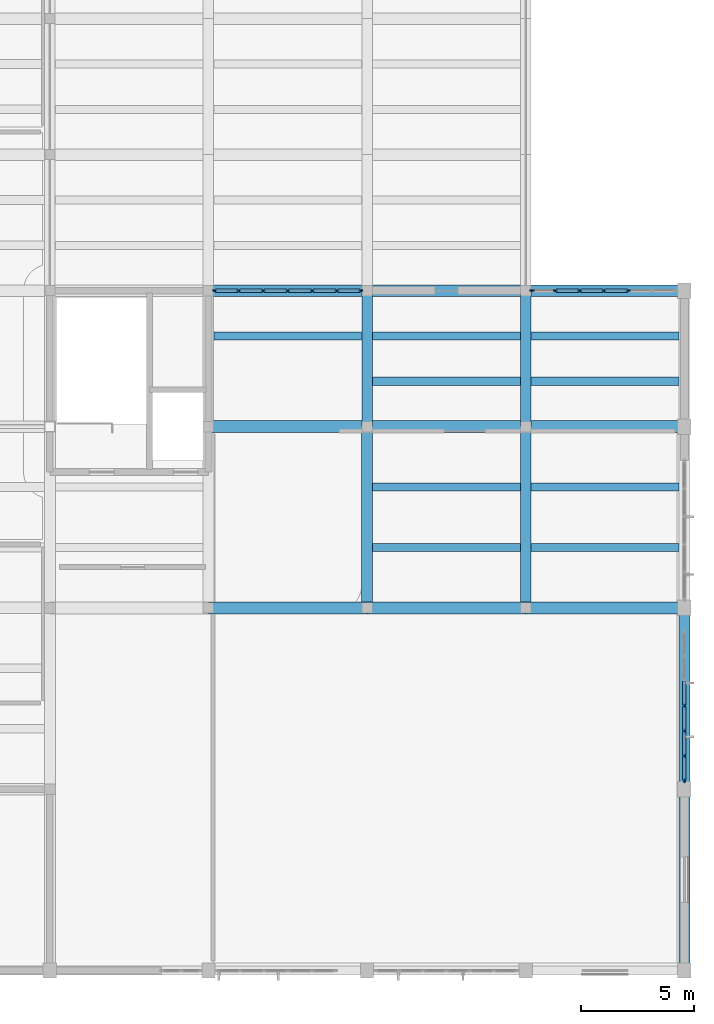
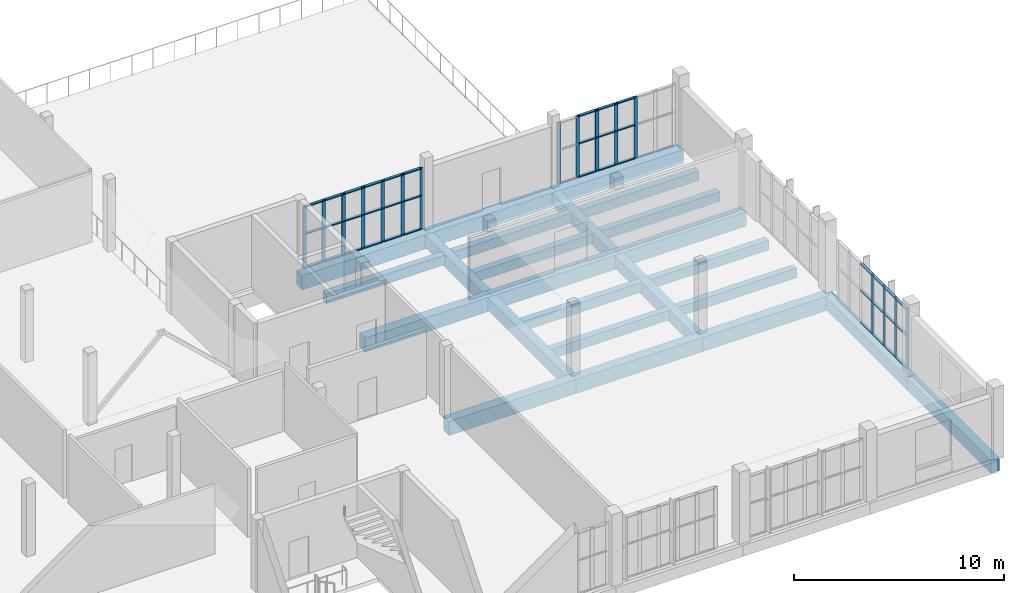
# One storey, part 33 of 70: 55 members, 24 beams, 3 elements without a shape of their own.
"""IFC4 building model written with IfcOpenShell, lengths in metres."""

from ifc_helpers import new_model, si_unit, direction, frame, origin, origin_2d, place, context, subcontext, project, spatial, rectangle, extrude, material, layer, layer_set, material_profile, profile_set, type_object, element, aggregate, save


model = new_model("IFC4")

# Units and contexts
model_context = context("Model", 3, precision=1e-05, world=origin(), true_north=direction((0.0, 1.0)))
body_context = subcontext(model_context, "Body", "Model", "MODEL_VIEW")
ifc_project = project(units=[si_unit("LENGTHUNIT", "METRE"), si_unit("AREAUNIT", "SQUARE_METRE"), si_unit("VOLUMEUNIT", "CUBIC_METRE"), si_unit("PLANEANGLEUNIT", "RADIAN"), si_unit("MASSUNIT", "GRAM", prefix="KILO")], contexts=[model_context])

# Site, building, storey
site_placement = place(None, origin())
site = spatial("IfcSite", under=ifc_project, at=site_placement, CompositionType="ELEMENT")
building_placement = place(site_placement, origin())
building = spatial("IfcBuilding", under=site, at=building_placement, Name="Solvane Community Centre", CompositionType="ELEMENT")
storey_placement = place(building_placement, frame((0.0, 0.0, 9.60009765625)))
storey = spatial("IfcBuildingStorey", under=building, at=storey_placement, Name="L02", CompositionType="ELEMENT", Elevation=9.60009765625)

# Curtain wall, members
ifc_material_1 = material(Name="Anodised bronze aluminium AW-6063 T6", Category="aluminium")
ifc_layer_1 = layer(ifc_material_1, 0.18994140625)
ifc_layer_set_1 = layer_set([ifc_layer_1], Name="Anodised bronze aluminium AW-6063 T6")
curtain_wall_type_1 = type_object("IfcCurtainWallType", Name="Boulevard Bronze Vision Curtain Wall [65x36dm]", PredefinedType="NOTDEFINED", material=ifc_layer_set_1)
curtain_wall_1_placement = place(storey_placement, origin())
curtain_wall_1 = element("IfcCurtainWall", 1, at=curtain_wall_1_placement, inside=storey, type_object=curtain_wall_type_1, Name="Curtain Wall CW-L02-1472_360-202", PredefinedType="NOTDEFINED")
ifc_material_profile_1 = material_profile(ifc_material_1, rectangle(XDim=0.06005859375, YDim=0.18994140625, at=origin_2d()), Name="CW-M 60x190")
ifc_profile_set_1 = profile_set([ifc_material_profile_1], Name="Anodised bronze aluminium AW-6063 T6")
member_type_1 = type_object("IfcMemberType", Name="Boulevard Mullion 60x190", PredefinedType="MULLION", material=ifc_profile_set_1)
member_1_placement = place(storey_placement, frame((147.27490234375, 36.0, 0.0), z_axis=(0.0, 0.0, 1.0), x_axis=(0.0, 1.0, 0.0)))
member_1 = element("IfcMember", 2, at=member_1_placement, type_object=member_type_1, Name="CW02-65x36 mullion 1", PredefinedType="MULLION", context=body_context, shape_type="SweptSolid", body=[
    extrude(rectangle(XDim=0.06005859375, YDim=0.18994140625, at=origin_2d()), origin(), (0.0, 0.0, 1.0), 3.579833984375),
])
member_2_placement = place(storey_placement, frame((148.330078125, 36.0, 0.0), z_axis=(0.0, 0.0, 1.0), x_axis=(0.0, 1.0, 0.0)))
member_2 = element("IfcMember", 3, at=member_2_placement, type_object=member_type_1, Name="CW02-65x36 mullion 2", PredefinedType="MULLION", context=body_context, shape_type="SweptSolid", body=[
    extrude(rectangle(XDim=0.06005859375, YDim=0.18994140625, at=origin_2d()), origin(), (0.0, 0.0, 1.0), 3.579833984375),
])
member_3_placement = place(storey_placement, frame((149.4150390625, 36.0, 0.0), z_axis=(0.0, 0.0, 1.0), x_axis=(0.0, 1.0, 0.0)))
member_3 = element("IfcMember", 4, at=member_3_placement, type_object=member_type_1, Name="CW02-65x36 mullion 3", PredefinedType="MULLION", context=body_context, shape_type="SweptSolid", body=[
    extrude(rectangle(XDim=0.06005859375, YDim=0.18994140625, at=origin_2d()), origin(), (0.0, 0.0, 1.0), 3.579833984375),
])
member_4_placement = place(storey_placement, frame((150.5, 36.0, 0.0), z_axis=(0.0, 0.0, 1.0), x_axis=(0.0, 1.0, 0.0)))
member_4 = element("IfcMember", 5, at=member_4_placement, type_object=member_type_1, Name="CW02-65x36 mullion 4", PredefinedType="MULLION", context=body_context, shape_type="SweptSolid", body=[
    extrude(rectangle(XDim=0.06005859375, YDim=0.18994140625, at=origin_2d()), origin(), (0.0, 0.0, 1.0), 3.579833984375),
])
member_5_placement = place(storey_placement, frame((151.5849609375, 36.0, 0.0), z_axis=(0.0, 0.0, 1.0), x_axis=(0.0, 1.0, 0.0)))
member_5 = element("IfcMember", 6, at=member_5_placement, type_object=member_type_1, Name="CW02-65x36 mullion 5", PredefinedType="MULLION", context=body_context, shape_type="SweptSolid", body=[
    extrude(rectangle(XDim=0.06005859375, YDim=0.18994140625, at=origin_2d()), origin(), (0.0, 0.0, 1.0), 3.579833984375),
])
member_6_placement = place(storey_placement, frame((152.669921875, 36.0, 0.0), z_axis=(0.0, 0.0, 1.0), x_axis=(0.0, 1.0, 0.0)))
member_6 = element("IfcMember", 7, at=member_6_placement, type_object=member_type_1, Name="CW02-65x36 mullion 6", PredefinedType="MULLION", context=body_context, shape_type="SweptSolid", body=[
    extrude(rectangle(XDim=0.06005859375, YDim=0.18994140625, at=origin_2d()), origin(), (0.0, 0.0, 1.0), 3.579833984375),
])
member_7_placement = place(storey_placement, frame((153.72509765625, 36.0, 0.0), z_axis=(0.0, 0.0, 1.0), x_axis=(0.0, 1.0, 0.0)))
member_7 = element("IfcMember", 8, at=member_7_placement, type_object=member_type_1, Name="CW02-65x36 mullion 7", PredefinedType="MULLION", context=body_context, shape_type="SweptSolid", body=[
    extrude(rectangle(XDim=0.06005859375, YDim=0.18994140625, at=origin_2d()), origin(), (0.0, 0.0, 1.0), 3.579833984375),
])

ifc_layer_2 = layer(ifc_material_1, 0.18994140625)
ifc_layer_set_2 = layer_set([ifc_layer_2], Name="Anodised bronze aluminium AW-6063 T6")
curtain_wall_type_2 = type_object("IfcCurtainWallType", Name="Boulevard Bronze Vision Curtain Wall [64x36dm]", PredefinedType="NOTDEFINED", material=ifc_layer_set_2)
curtain_wall_2_placement = place(storey_placement, origin())
curtain_wall_2 = element("IfcCurtainWall", 9, at=curtain_wall_2_placement, inside=storey, type_object=curtain_wall_type_2, Name="Curtain Wall CW-L02-1612_360-203", PredefinedType="NOTDEFINED")
member_8_placement = place(storey_placement, frame((161.27490234375, 36.0, 0.0), z_axis=(0.0, 0.0, 1.0), x_axis=(0.0, 1.0, 0.0)))
member_8 = element("IfcMember", 10, at=member_8_placement, type_object=member_type_1, Name="CW02-64x36 mullion 1", PredefinedType="MULLION", context=body_context, shape_type="SweptSolid", body=[
    extrude(rectangle(XDim=0.06005859375, YDim=0.18994140625, at=origin_2d()), origin(), (0.0, 0.0, 1.0), 3.579833984375),
])
member_9_placement = place(storey_placement, frame((162.311767578125, 36.0, 0.0), z_axis=(0.0, 0.0, 1.0), x_axis=(0.0, 1.0, 0.0)))
member_9 = element("IfcMember", 11, at=member_9_placement, type_object=member_type_1, Name="CW02-64x36 mullion 2", PredefinedType="MULLION", context=body_context, shape_type="SweptSolid", body=[
    extrude(rectangle(XDim=0.06005859375, YDim=0.18994140625, at=origin_2d()), origin(), (0.0, 0.0, 1.0), 3.579833984375),
])
member_10_placement = place(storey_placement, frame((163.37841796875, 36.0, 0.0), z_axis=(0.0, 0.0, 1.0), x_axis=(0.0, 1.0, 0.0)))
member_10 = element("IfcMember", 12, at=member_10_placement, type_object=member_type_1, Name="CW02-64x36 mullion 3", PredefinedType="MULLION", context=body_context, shape_type="SweptSolid", body=[
    extrude(rectangle(XDim=0.06005859375, YDim=0.18994140625, at=origin_2d()), origin(), (0.0, 0.0, 1.0), 3.579833984375),
])
member_11_placement = place(storey_placement, frame((164.445068359375, 36.0, 0.0), z_axis=(0.0, 0.0, 1.0), x_axis=(0.0, 1.0, 0.0)))
member_11 = element("IfcMember", 13, at=member_11_placement, type_object=member_type_1, Name="CW02-64x36 mullion 4", PredefinedType="MULLION", context=body_context, shape_type="SweptSolid", body=[
    extrude(rectangle(XDim=0.06005859375, YDim=0.18994140625, at=origin_2d()), origin(), (0.0, 0.0, 1.0), 3.579833984375),
])
member_12_placement = place(storey_placement, frame((165.51171875, 36.0, 0.0), z_axis=(0.0, 0.0, 1.0), x_axis=(0.0, 1.0, 0.0)))
member_12 = element("IfcMember", 14, at=member_12_placement, type_object=member_type_1, Name="CW02-64x36 mullion 5", PredefinedType="MULLION", context=body_context, shape_type="SweptSolid", body=[
    extrude(rectangle(XDim=0.06005859375, YDim=0.18994140625, at=origin_2d()), origin(), (0.0, 0.0, 1.0), 3.579833984375),
])

ifc_layer_3 = layer(ifc_material_1, 0.18994140625)
ifc_layer_set_3 = layer_set([ifc_layer_3], Name="Anodised bronze aluminium AW-6063 T6")
curtain_wall_type_3 = type_object("IfcCurtainWallType", Name="Boulevard Bronze Vision Curtain Wall [66x35dm]", PredefinedType="NOTDEFINED", material=ifc_layer_set_3)
curtain_wall_3_placement = place(storey_placement, origin())
curtain_wall_3 = element("IfcCurtainWall", 15, at=curtain_wall_3_placement, inside=storey, type_object=curtain_wall_type_3, Name="Curtain Wall CW-L02-1680_210-205", PredefinedType="NOTDEFINED")
member_13_placement = place(storey_placement, frame((168.0, 17.677490234375, 0.0), z_axis=(0.0, 0.0, 1.0), x_axis=(1.0, 0.0, 0.0)))
member_13 = element("IfcMember", 16, at=member_13_placement, type_object=member_type_1, Name="CW02-66x35 mullion 4", PredefinedType="MULLION", context=body_context, shape_type="SweptSolid", body=[
    extrude(rectangle(XDim=0.06005859375, YDim=0.18994140625, at=origin_2d()), origin(), (0.0, 0.0, 1.0), 3.46484375),
])
member_14_placement = place(storey_placement, frame((168.0, 16.570068359375, 0.0), z_axis=(0.0, 0.0, 1.0), x_axis=(1.0, 0.0, 0.0)))
member_14 = element("IfcMember", 17, at=member_14_placement, type_object=member_type_1, Name="CW02-66x35 mullion 5", PredefinedType="MULLION", context=body_context, shape_type="SweptSolid", body=[
    extrude(rectangle(XDim=0.06005859375, YDim=0.18994140625, at=origin_2d()), origin(), (0.0, 0.0, 1.0), 3.46484375),
])
member_15_placement = place(storey_placement, frame((168.0, 15.46240234375, 0.0), z_axis=(0.0, 0.0, 1.0), x_axis=(1.0, 0.0, 0.0)))
member_15 = element("IfcMember", 18, at=member_15_placement, type_object=member_type_1, Name="CW02-66x35 mullion 6", PredefinedType="MULLION", context=body_context, shape_type="SweptSolid", body=[
    extrude(rectangle(XDim=0.06005859375, YDim=0.18994140625, at=origin_2d()), origin(), (0.0, 0.0, 1.0), 3.46484375),
])
member_16_placement = place(storey_placement, frame((168.0, 14.385009765625, 0.0), z_axis=(0.0, 0.0, 1.0), x_axis=(1.0, 0.0, 0.0)))
member_16 = element("IfcMember", 19, at=member_16_placement, type_object=member_type_1, Name="CW02-66x35 mullion 7", PredefinedType="MULLION", context=body_context, shape_type="SweptSolid", body=[
    extrude(rectangle(XDim=0.06005859375, YDim=0.18994140625, at=origin_2d()), origin(), (0.0, 0.0, 1.0), 3.46484375),
])

# Member
ifc_material_profile_2 = material_profile(ifc_material_1, rectangle(XDim=0.14990234375, YDim=0.06005859375, at=origin_2d()), Name="CW-T 60x150")
ifc_profile_set_2 = profile_set([ifc_material_profile_2], Name="Anodised bronze aluminium AW-6063 T6")
member_type_2 = type_object("IfcMemberType", Name="Boulevard Transom 60x150", PredefinedType="USERDEFINED", material=ifc_profile_set_2)
member_17_placement = place(storey_placement, frame((147.304931640625, 36.0, 0.02978515625), z_axis=(1.0, 0.0, 0.0), x_axis=(0.0, 1.0, 0.0)))
member_17 = element("IfcMember", 20, at=member_17_placement, type_object=member_type_2, Name="CW02-65x36 transom 1.1", ObjectType="TRANSOM", PredefinedType="USERDEFINED", context=body_context, shape_type="SweptSolid", body=[
    extrude(rectangle(XDim=0.14990234375, YDim=0.06005859375, at=origin_2d()), origin(), (0.0, 0.0, 1.0), 0.9951171875),
])

member_18_placement = place(storey_placement, frame((147.304931640625, 36.0, 1.968994140625), z_axis=(1.0, 0.0, 0.0), x_axis=(0.0, 1.0, 0.0)))
member_18 = element("IfcMember", 21, at=member_18_placement, type_object=member_type_2, Name="CW02-65x36 transom 1.2", ObjectType="TRANSOM", PredefinedType="USERDEFINED", context=body_context, shape_type="SweptSolid", body=[
    extrude(rectangle(XDim=0.14990234375, YDim=0.06005859375, at=origin_2d()), origin(), (0.0, 0.0, 1.0), 0.9951171875),
])

member_19_placement = place(storey_placement, frame((147.304931640625, 36.0, 3.5498046875), z_axis=(1.0, 0.0, 0.0), x_axis=(0.0, 1.0, 0.0)))
member_19 = element("IfcMember", 22, at=member_19_placement, type_object=member_type_2, Name="CW02-65x36 transom 1.3", ObjectType="TRANSOM", PredefinedType="USERDEFINED", context=body_context, shape_type="SweptSolid", body=[
    extrude(rectangle(XDim=0.14990234375, YDim=0.06005859375, at=origin_2d()), origin(), (0.0, 0.0, 1.0), 0.9951171875),
])

member_20_placement = place(storey_placement, frame((148.360107421875, 36.0, 0.02978515625), z_axis=(1.0, 0.0, 0.0), x_axis=(0.0, 1.0, 0.0)))
member_20 = element("IfcMember", 23, at=member_20_placement, type_object=member_type_2, Name="CW02-65x36 transom 2.1", ObjectType="TRANSOM", PredefinedType="USERDEFINED", context=body_context, shape_type="SweptSolid", body=[
    extrude(rectangle(XDim=0.14990234375, YDim=0.06005859375, at=origin_2d()), origin(), (0.0, 0.0, 1.0), 1.02490234375),
])

member_21_placement = place(storey_placement, frame((148.360107421875, 36.0, 1.968994140625), z_axis=(1.0, 0.0, 0.0), x_axis=(0.0, 1.0, 0.0)))
member_21 = element("IfcMember", 24, at=member_21_placement, type_object=member_type_2, Name="CW02-65x36 transom 2.2", ObjectType="TRANSOM", PredefinedType="USERDEFINED", context=body_context, shape_type="SweptSolid", body=[
    extrude(rectangle(XDim=0.14990234375, YDim=0.06005859375, at=origin_2d()), origin(), (0.0, 0.0, 1.0), 1.02490234375),
])

member_22_placement = place(storey_placement, frame((148.360107421875, 36.0, 3.5498046875), z_axis=(1.0, 0.0, 0.0), x_axis=(0.0, 1.0, 0.0)))
member_22 = element("IfcMember", 25, at=member_22_placement, type_object=member_type_2, Name="CW02-65x36 transom 2.3", ObjectType="TRANSOM", PredefinedType="USERDEFINED", context=body_context, shape_type="SweptSolid", body=[
    extrude(rectangle(XDim=0.14990234375, YDim=0.06005859375, at=origin_2d()), origin(), (0.0, 0.0, 1.0), 1.02490234375),
])

member_23_placement = place(storey_placement, frame((149.445068359375, 36.0, 0.02978515625), z_axis=(1.0, 0.0, 0.0), x_axis=(0.0, 1.0, 0.0)))
member_23 = element("IfcMember", 26, at=member_23_placement, type_object=member_type_2, Name="CW02-65x36 transom 3.1", ObjectType="TRANSOM", PredefinedType="USERDEFINED", context=body_context, shape_type="SweptSolid", body=[
    extrude(rectangle(XDim=0.14990234375, YDim=0.06005859375, at=origin_2d()), origin(), (0.0, 0.0, 1.0), 1.02490234375),
])

member_24_placement = place(storey_placement, frame((149.445068359375, 36.0, 1.968994140625), z_axis=(1.0, 0.0, 0.0), x_axis=(0.0, 1.0, 0.0)))
member_24 = element("IfcMember", 27, at=member_24_placement, type_object=member_type_2, Name="CW02-65x36 transom 3.2", ObjectType="TRANSOM", PredefinedType="USERDEFINED", context=body_context, shape_type="SweptSolid", body=[
    extrude(rectangle(XDim=0.14990234375, YDim=0.06005859375, at=origin_2d()), origin(), (0.0, 0.0, 1.0), 1.02490234375),
])

member_25_placement = place(storey_placement, frame((149.445068359375, 36.0, 3.5498046875), z_axis=(1.0, 0.0, 0.0), x_axis=(0.0, 1.0, 0.0)))
member_25 = element("IfcMember", 28, at=member_25_placement, type_object=member_type_2, Name="CW02-65x36 transom 3.3", ObjectType="TRANSOM", PredefinedType="USERDEFINED", context=body_context, shape_type="SweptSolid", body=[
    extrude(rectangle(XDim=0.14990234375, YDim=0.06005859375, at=origin_2d()), origin(), (0.0, 0.0, 1.0), 1.02490234375),
])

member_26_placement = place(storey_placement, frame((150.530029296875, 36.0, 0.02978515625), z_axis=(1.0, 0.0, 0.0), x_axis=(0.0, 1.0, 0.0)))
member_26 = element("IfcMember", 29, at=member_26_placement, type_object=member_type_2, Name="CW02-65x36 transom 4.1", ObjectType="TRANSOM", PredefinedType="USERDEFINED", context=body_context, shape_type="SweptSolid", body=[
    extrude(rectangle(XDim=0.14990234375, YDim=0.06005859375, at=origin_2d()), origin(), (0.0, 0.0, 1.0), 1.02490234375),
])

member_27_placement = place(storey_placement, frame((150.530029296875, 36.0, 1.968994140625), z_axis=(1.0, 0.0, 0.0), x_axis=(0.0, 1.0, 0.0)))
member_27 = element("IfcMember", 30, at=member_27_placement, type_object=member_type_2, Name="CW02-65x36 transom 4.2", ObjectType="TRANSOM", PredefinedType="USERDEFINED", context=body_context, shape_type="SweptSolid", body=[
    extrude(rectangle(XDim=0.14990234375, YDim=0.06005859375, at=origin_2d()), origin(), (0.0, 0.0, 1.0), 1.02490234375),
])

member_28_placement = place(storey_placement, frame((150.530029296875, 36.0, 3.5498046875), z_axis=(1.0, 0.0, 0.0), x_axis=(0.0, 1.0, 0.0)))
member_28 = element("IfcMember", 31, at=member_28_placement, type_object=member_type_2, Name="CW02-65x36 transom 4.3", ObjectType="TRANSOM", PredefinedType="USERDEFINED", context=body_context, shape_type="SweptSolid", body=[
    extrude(rectangle(XDim=0.14990234375, YDim=0.06005859375, at=origin_2d()), origin(), (0.0, 0.0, 1.0), 1.02490234375),
])

member_29_placement = place(storey_placement, frame((151.614990234375, 36.0, 0.02978515625), z_axis=(1.0, 0.0, 0.0), x_axis=(0.0, 1.0, 0.0)))
member_29 = element("IfcMember", 32, at=member_29_placement, type_object=member_type_2, Name="CW02-65x36 transom 5.1", ObjectType="TRANSOM", PredefinedType="USERDEFINED", context=body_context, shape_type="SweptSolid", body=[
    extrude(rectangle(XDim=0.14990234375, YDim=0.06005859375, at=origin_2d()), origin(), (0.0, 0.0, 1.0), 1.02490234375),
])

member_30_placement = place(storey_placement, frame((151.614990234375, 36.0, 1.968994140625), z_axis=(1.0, 0.0, 0.0), x_axis=(0.0, 1.0, 0.0)))
member_30 = element("IfcMember", 33, at=member_30_placement, type_object=member_type_2, Name="CW02-65x36 transom 5.2", ObjectType="TRANSOM", PredefinedType="USERDEFINED", context=body_context, shape_type="SweptSolid", body=[
    extrude(rectangle(XDim=0.14990234375, YDim=0.06005859375, at=origin_2d()), origin(), (0.0, 0.0, 1.0), 1.02490234375),
])

member_31_placement = place(storey_placement, frame((151.614990234375, 36.0, 3.5498046875), z_axis=(1.0, 0.0, 0.0), x_axis=(0.0, 1.0, 0.0)))
member_31 = element("IfcMember", 34, at=member_31_placement, type_object=member_type_2, Name="CW02-65x36 transom 5.3", ObjectType="TRANSOM", PredefinedType="USERDEFINED", context=body_context, shape_type="SweptSolid", body=[
    extrude(rectangle(XDim=0.14990234375, YDim=0.06005859375, at=origin_2d()), origin(), (0.0, 0.0, 1.0), 1.02490234375),
])

member_32_placement = place(storey_placement, frame((152.699951171875, 36.0, 0.02978515625), z_axis=(1.0, 0.0, 0.0), x_axis=(0.0, 1.0, 0.0)))
member_32 = element("IfcMember", 35, at=member_32_placement, type_object=member_type_2, Name="CW02-65x36 transom 6.1", ObjectType="TRANSOM", PredefinedType="USERDEFINED", context=body_context, shape_type="SweptSolid", body=[
    extrude(rectangle(XDim=0.14990234375, YDim=0.06005859375, at=origin_2d()), origin(), (0.0, 0.0, 1.0), 0.9951171875),
])

member_33_placement = place(storey_placement, frame((152.699951171875, 36.0, 1.968994140625), z_axis=(1.0, 0.0, 0.0), x_axis=(0.0, 1.0, 0.0)))
member_33 = element("IfcMember", 36, at=member_33_placement, type_object=member_type_2, Name="CW02-65x36 transom 6.2", ObjectType="TRANSOM", PredefinedType="USERDEFINED", context=body_context, shape_type="SweptSolid", body=[
    extrude(rectangle(XDim=0.14990234375, YDim=0.06005859375, at=origin_2d()), origin(), (0.0, 0.0, 1.0), 0.9951171875),
])

member_34_placement = place(storey_placement, frame((152.699951171875, 36.0, 3.5498046875), z_axis=(1.0, 0.0, 0.0), x_axis=(0.0, 1.0, 0.0)))
member_34 = element("IfcMember", 37, at=member_34_placement, type_object=member_type_2, Name="CW02-65x36 transom 6.3", ObjectType="TRANSOM", PredefinedType="USERDEFINED", context=body_context, shape_type="SweptSolid", body=[
    extrude(rectangle(XDim=0.14990234375, YDim=0.06005859375, at=origin_2d()), origin(), (0.0, 0.0, 1.0), 0.9951171875),
])

aggregate(curtain_wall_1, [member_1, member_2, member_3, member_4, member_5, member_6, member_7, member_17, member_18, member_19, member_20, member_21, member_22, member_23, member_24, member_25, member_26, member_27, member_28, member_29, member_30, member_31, member_32, member_33, member_34])

member_35_placement = place(storey_placement, frame((162.341552734375, 36.0, 0.02978515625), z_axis=(1.0, 0.0, 0.0), x_axis=(0.0, 1.0, 0.0)))
member_35 = element("IfcMember", 38, at=member_35_placement, type_object=member_type_2, Name="CW02-64x36 transom 2.1", ObjectType="TRANSOM", PredefinedType="USERDEFINED", context=body_context, shape_type="SweptSolid", body=[
    extrude(rectangle(XDim=0.14990234375, YDim=0.06005859375, at=origin_2d()), origin(), (0.0, 0.0, 1.0), 1.0068359375),
])

member_36_placement = place(storey_placement, frame((162.341552734375, 36.0, 1.968994140625), z_axis=(1.0, 0.0, 0.0), x_axis=(0.0, 1.0, 0.0)))
member_36 = element("IfcMember", 39, at=member_36_placement, type_object=member_type_2, Name="CW02-64x36 transom 2.2", ObjectType="TRANSOM", PredefinedType="USERDEFINED", context=body_context, shape_type="SweptSolid", body=[
    extrude(rectangle(XDim=0.14990234375, YDim=0.06005859375, at=origin_2d()), origin(), (0.0, 0.0, 1.0), 1.0068359375),
])

member_37_placement = place(storey_placement, frame((162.341552734375, 36.0, 3.5498046875), z_axis=(1.0, 0.0, 0.0), x_axis=(0.0, 1.0, 0.0)))
member_37 = element("IfcMember", 40, at=member_37_placement, type_object=member_type_2, Name="CW02-64x36 transom 2.3", ObjectType="TRANSOM", PredefinedType="USERDEFINED", context=body_context, shape_type="SweptSolid", body=[
    extrude(rectangle(XDim=0.14990234375, YDim=0.06005859375, at=origin_2d()), origin(), (0.0, 0.0, 1.0), 1.0068359375),
])

member_38_placement = place(storey_placement, frame((163.408447265625, 36.0, 0.02978515625), z_axis=(1.0, 0.0, 0.0), x_axis=(0.0, 1.0, 0.0)))
member_38 = element("IfcMember", 41, at=member_38_placement, type_object=member_type_2, Name="CW02-64x36 transom 3.1", ObjectType="TRANSOM", PredefinedType="USERDEFINED", context=body_context, shape_type="SweptSolid", body=[
    extrude(rectangle(XDim=0.14990234375, YDim=0.06005859375, at=origin_2d()), origin(), (0.0, 0.0, 1.0), 1.006591796875),
])

member_39_placement = place(storey_placement, frame((163.408447265625, 36.0, 1.968994140625), z_axis=(1.0, 0.0, 0.0), x_axis=(0.0, 1.0, 0.0)))
member_39 = element("IfcMember", 42, at=member_39_placement, type_object=member_type_2, Name="CW02-64x36 transom 3.2", ObjectType="TRANSOM", PredefinedType="USERDEFINED", context=body_context, shape_type="SweptSolid", body=[
    extrude(rectangle(XDim=0.14990234375, YDim=0.06005859375, at=origin_2d()), origin(), (0.0, 0.0, 1.0), 1.006591796875),
])

member_40_placement = place(storey_placement, frame((163.408447265625, 36.0, 3.5498046875), z_axis=(1.0, 0.0, 0.0), x_axis=(0.0, 1.0, 0.0)))
member_40 = element("IfcMember", 43, at=member_40_placement, type_object=member_type_2, Name="CW02-64x36 transom 3.3", ObjectType="TRANSOM", PredefinedType="USERDEFINED", context=body_context, shape_type="SweptSolid", body=[
    extrude(rectangle(XDim=0.14990234375, YDim=0.06005859375, at=origin_2d()), origin(), (0.0, 0.0, 1.0), 1.006591796875),
])

member_41_placement = place(storey_placement, frame((164.47509765625, 36.0, 0.02978515625), z_axis=(1.0, 0.0, 0.0), x_axis=(0.0, 1.0, 0.0)))
member_41 = element("IfcMember", 44, at=member_41_placement, type_object=member_type_2, Name="CW02-64x36 transom 4.1", ObjectType="TRANSOM", PredefinedType="USERDEFINED", context=body_context, shape_type="SweptSolid", body=[
    extrude(rectangle(XDim=0.14990234375, YDim=0.06005859375, at=origin_2d()), origin(), (0.0, 0.0, 1.0), 1.006591796875),
])

member_42_placement = place(storey_placement, frame((164.47509765625, 36.0, 1.968994140625), z_axis=(1.0, 0.0, 0.0), x_axis=(0.0, 1.0, 0.0)))
member_42 = element("IfcMember", 45, at=member_42_placement, type_object=member_type_2, Name="CW02-64x36 transom 4.2", ObjectType="TRANSOM", PredefinedType="USERDEFINED", context=body_context, shape_type="SweptSolid", body=[
    extrude(rectangle(XDim=0.14990234375, YDim=0.06005859375, at=origin_2d()), origin(), (0.0, 0.0, 1.0), 1.006591796875),
])

member_43_placement = place(storey_placement, frame((164.47509765625, 36.0, 3.5498046875), z_axis=(1.0, 0.0, 0.0), x_axis=(0.0, 1.0, 0.0)))
member_43 = element("IfcMember", 46, at=member_43_placement, type_object=member_type_2, Name="CW02-64x36 transom 4.3", ObjectType="TRANSOM", PredefinedType="USERDEFINED", context=body_context, shape_type="SweptSolid", body=[
    extrude(rectangle(XDim=0.14990234375, YDim=0.06005859375, at=origin_2d()), origin(), (0.0, 0.0, 1.0), 1.006591796875),
])

aggregate(curtain_wall_2, [member_8, member_9, member_10, member_11, member_12, member_35, member_36, member_37, member_38, member_39, member_40, member_41, member_42, member_43])

member_44_placement = place(storey_placement, frame((168.0, 18.7548828125, 0.02978515625), z_axis=(0.0, -1.0, 0.0), x_axis=(1.0, 0.0, 0.0)))
member_44 = element("IfcMember", 47, at=member_44_placement, type_object=member_type_2, Name="CW02-66x35 transom 3.1", ObjectType="TRANSOM", PredefinedType="USERDEFINED", context=body_context, shape_type="SweptSolid", body=[
    extrude(rectangle(XDim=0.14990234375, YDim=0.06005859375, at=origin_2d()), origin(), (0.0, 0.0, 1.0), 1.04736328125),
])

member_45_placement = place(storey_placement, frame((168.0, 18.7548828125, 1.906005859375), z_axis=(0.0, -1.0, 0.0), x_axis=(1.0, 0.0, 0.0)))
member_45 = element("IfcMember", 48, at=member_45_placement, type_object=member_type_2, Name="CW02-66x35 transom 3.2", ObjectType="TRANSOM", PredefinedType="USERDEFINED", context=body_context, shape_type="SweptSolid", body=[
    extrude(rectangle(XDim=0.14990234375, YDim=0.06005859375, at=origin_2d()), origin(), (0.0, 0.0, 1.0), 1.04736328125),
])

member_46_placement = place(storey_placement, frame((168.0, 18.7548828125, 3.434814453125), z_axis=(0.0, -1.0, 0.0), x_axis=(1.0, 0.0, 0.0)))
member_46 = element("IfcMember", 49, at=member_46_placement, type_object=member_type_2, Name="CW02-66x35 transom 3.3", ObjectType="TRANSOM", PredefinedType="USERDEFINED", context=body_context, shape_type="SweptSolid", body=[
    extrude(rectangle(XDim=0.14990234375, YDim=0.06005859375, at=origin_2d()), origin(), (0.0, 0.0, 1.0), 1.04736328125),
])

member_47_placement = place(storey_placement, frame((168.0, 17.6474609375, 0.02978515625), z_axis=(0.0, -1.0, 0.0), x_axis=(1.0, 0.0, 0.0)))
member_47 = element("IfcMember", 50, at=member_47_placement, type_object=member_type_2, Name="CW02-66x35 transom 4.1", ObjectType="TRANSOM", PredefinedType="USERDEFINED", context=body_context, shape_type="SweptSolid", body=[
    extrude(rectangle(XDim=0.14990234375, YDim=0.06005859375, at=origin_2d()), origin(), (0.0, 0.0, 1.0), 1.04736328125),
])

member_48_placement = place(storey_placement, frame((168.0, 17.6474609375, 1.906005859375), z_axis=(0.0, -1.0, 0.0), x_axis=(1.0, 0.0, 0.0)))
member_48 = element("IfcMember", 51, at=member_48_placement, type_object=member_type_2, Name="CW02-66x35 transom 4.2", ObjectType="TRANSOM", PredefinedType="USERDEFINED", context=body_context, shape_type="SweptSolid", body=[
    extrude(rectangle(XDim=0.14990234375, YDim=0.06005859375, at=origin_2d()), origin(), (0.0, 0.0, 1.0), 1.04736328125),
])

member_49_placement = place(storey_placement, frame((168.0, 17.6474609375, 3.434814453125), z_axis=(0.0, -1.0, 0.0), x_axis=(1.0, 0.0, 0.0)))
member_49 = element("IfcMember", 52, at=member_49_placement, type_object=member_type_2, Name="CW02-66x35 transom 4.3", ObjectType="TRANSOM", PredefinedType="USERDEFINED", context=body_context, shape_type="SweptSolid", body=[
    extrude(rectangle(XDim=0.14990234375, YDim=0.06005859375, at=origin_2d()), origin(), (0.0, 0.0, 1.0), 1.04736328125),
])

member_50_placement = place(storey_placement, frame((168.0, 16.5400390625, 0.02978515625), z_axis=(0.0, -1.0, 0.0), x_axis=(1.0, 0.0, 0.0)))
member_50 = element("IfcMember", 53, at=member_50_placement, type_object=member_type_2, Name="CW02-66x35 transom 5.1", ObjectType="TRANSOM", PredefinedType="USERDEFINED", context=body_context, shape_type="SweptSolid", body=[
    extrude(rectangle(XDim=0.14990234375, YDim=0.06005859375, at=origin_2d()), origin(), (0.0, 0.0, 1.0), 1.047607421875),
])

member_51_placement = place(storey_placement, frame((168.0, 16.5400390625, 1.906005859375), z_axis=(0.0, -1.0, 0.0), x_axis=(1.0, 0.0, 0.0)))
member_51 = element("IfcMember", 54, at=member_51_placement, type_object=member_type_2, Name="CW02-66x35 transom 5.2", ObjectType="TRANSOM", PredefinedType="USERDEFINED", context=body_context, shape_type="SweptSolid", body=[
    extrude(rectangle(XDim=0.14990234375, YDim=0.06005859375, at=origin_2d()), origin(), (0.0, 0.0, 1.0), 1.047607421875),
])

member_52_placement = place(storey_placement, frame((168.0, 16.5400390625, 3.434814453125), z_axis=(0.0, -1.0, 0.0), x_axis=(1.0, 0.0, 0.0)))
member_52 = element("IfcMember", 55, at=member_52_placement, type_object=member_type_2, Name="CW02-66x35 transom 5.3", ObjectType="TRANSOM", PredefinedType="USERDEFINED", context=body_context, shape_type="SweptSolid", body=[
    extrude(rectangle(XDim=0.14990234375, YDim=0.06005859375, at=origin_2d()), origin(), (0.0, 0.0, 1.0), 1.047607421875),
])

member_53_placement = place(storey_placement, frame((168.0, 15.4326171875, 0.02978515625), z_axis=(0.0, -1.0, 0.0), x_axis=(1.0, 0.0, 0.0)))
member_53 = element("IfcMember", 56, at=member_53_placement, type_object=member_type_2, Name="CW02-66x35 transom 6.1", ObjectType="TRANSOM", PredefinedType="USERDEFINED", context=body_context, shape_type="SweptSolid", body=[
    extrude(rectangle(XDim=0.14990234375, YDim=0.06005859375, at=origin_2d()), origin(), (0.0, 0.0, 1.0), 1.017578125),
])

member_54_placement = place(storey_placement, frame((168.0, 15.4326171875, 1.906005859375), z_axis=(0.0, -1.0, 0.0), x_axis=(1.0, 0.0, 0.0)))
member_54 = element("IfcMember", 57, at=member_54_placement, type_object=member_type_2, Name="CW02-66x35 transom 6.2", ObjectType="TRANSOM", PredefinedType="USERDEFINED", context=body_context, shape_type="SweptSolid", body=[
    extrude(rectangle(XDim=0.14990234375, YDim=0.06005859375, at=origin_2d()), origin(), (0.0, 0.0, 1.0), 1.017578125),
])

member_55_placement = place(storey_placement, frame((168.0, 15.4326171875, 3.434814453125), z_axis=(0.0, -1.0, 0.0), x_axis=(1.0, 0.0, 0.0)))
member_55 = element("IfcMember", 58, at=member_55_placement, type_object=member_type_2, Name="CW02-66x35 transom 6.3", ObjectType="TRANSOM", PredefinedType="USERDEFINED", context=body_context, shape_type="SweptSolid", body=[
    extrude(rectangle(XDim=0.14990234375, YDim=0.06005859375, at=origin_2d()), origin(), (0.0, 0.0, 1.0), 1.017578125),
])

aggregate(curtain_wall_3, [member_13, member_14, member_15, member_16, member_44, member_45, member_46, member_47, member_48, member_49, member_50, member_51, member_52, member_53, member_54, member_55])

# Beams
ifc_material_2 = material(Name="Concrete C35/45", Category="concrete")
ifc_material_profile_3 = material_profile(ifc_material_2, rectangle(XDim=0.47998046875, YDim=0.739990234375, at=origin_2d()), Name="RC 480x740")
ifc_profile_set_3 = profile_set([ifc_material_profile_3], Name="Concrete C35/45")
beam_type_1 = type_object("IfcBeamType", Name="RC Bay Beam 480x740", PredefinedType="BEAM", material=ifc_profile_set_3)
for number, where, z_axis, x_axis, name in (
    (59, (154.0, 22.0, -0.590087890625), (0.0, 1.0, 0.0), (-1.0, 0.0, 0.0), "Beam BM-L02-1540_220-1540_300"),
    (60, (161.0, 22.0, -0.590087890625), (0.0, 1.0, 0.0), (-1.0, 0.0, 0.0), "Beam BM-L02-1610_220-1610_300"),
    (61, (168.0, 6.0, -0.590087890625), (0.0, 1.0, 0.0), (-1.0, 0.0, 0.0), "Beam BM-L02-1680_60-1680_140"),
    (62, (168.0, 14.0, -0.590087890625), (0.0, 1.0, 0.0), (-1.0, 0.0, 0.0), "Beam BM-L02-1680_140-1680_220"),
):
    element("IfcBeam", number, at=place(storey_placement, frame(where, z_axis=z_axis, x_axis=x_axis)), inside=storey, type_object=beam_type_1, Name=name, PredefinedType="BEAM", context=body_context, shape_type="SweptSolid", body=[
        extrude(rectangle(XDim=0.47998046875, YDim=0.739990234375, at=origin_2d()), origin(), (0.0, 0.0, 1.0), 8.0),
    ])
ifc_material_profile_4 = material_profile(ifc_material_2, rectangle(XDim=0.4599609375, YDim=0.719970703125, at=origin_2d()), Name="RC 460x720")
ifc_profile_set_4 = profile_set([ifc_material_profile_4], Name="Concrete C35/45")
beam_type_2 = type_object("IfcBeamType", Name="RC Cloister Beam 460x720", PredefinedType="BEAM", material=ifc_profile_set_4)
for number, where, z_axis, x_axis, name in (
    (63, (154.0, 30.0, -0.580078125), (0.0, 1.0, 0.0), (-1.0, 0.0, 0.0), "Beam BM-L02-1540_300-1540_360"),
    (64, (161.0, 30.0, -0.580078125), (0.0, 1.0, 0.0), (-1.0, 0.0, 0.0), "Beam BM-L02-1610_300-1610_360"),
):
    element("IfcBeam", number, at=place(storey_placement, frame(where, z_axis=z_axis, x_axis=x_axis)), inside=storey, type_object=beam_type_2, Name=name, PredefinedType="BEAM", context=body_context, shape_type="SweptSolid", body=[
        extrude(rectangle(XDim=0.4599609375, YDim=0.719970703125, at=origin_2d()), origin(), (0.0, 0.0, 1.0), 6.0),
    ])
ifc_material_profile_5 = material_profile(ifc_material_2, rectangle(XDim=0.52001953125, YDim=0.830078125, at=origin_2d()), Name="RC 520x830")
ifc_profile_set_5 = profile_set([ifc_material_profile_5], Name="Concrete C35/45")
beam_type_3 = type_object("IfcBeamType", Name="RC Medium Girder 520x830", PredefinedType="USERDEFINED", material=ifc_profile_set_5)
for number, where, z_axis, x_axis, name in (
    (65, (147.0, 22.0, -0.635009765625), (1.0, 0.0, 0.0), (0.0, 1.0, 0.0), "Beam BM-L02-1470_220-1540_220"),
    (66, (154.0, 22.0, -0.635009765625), (1.0, 0.0, 0.0), (0.0, 1.0, 0.0), "Beam BM-L02-1540_220-1610_220"),
    (67, (161.0, 22.0, -0.635009765625), (1.0, 0.0, 0.0), (0.0, 1.0, 0.0), "Beam BM-L02-1610_220-1680_220"),
    (68, (147.0, 30.0, -0.635009765625), (1.0, 0.0, 0.0), (0.0, 1.0, 0.0), "Beam BM-L02-1470_300-1540_300"),
    (69, (154.0, 30.0, -0.635009765625), (1.0, 0.0, 0.0), (0.0, 1.0, 0.0), "Beam BM-L02-1540_300-1610_300"),
    (70, (161.0, 30.0, -0.635009765625), (1.0, 0.0, 0.0), (0.0, 1.0, 0.0), "Beam BM-L02-1610_300-1680_300"),
    (71, (147.0, 36.0, -0.635009765625), (1.0, 0.0, 0.0), (0.0, 1.0, 0.0), "Beam BM-L02-1470_360-1540_360"),
    (72, (154.0, 36.0, -0.635009765625), (1.0, 0.0, 0.0), (0.0, 1.0, 0.0), "Beam BM-L02-1540_360-1610_360"),
    (73, (161.0, 36.0, -0.635009765625), (1.0, 0.0, 0.0), (0.0, 1.0, 0.0), "Beam BM-L02-1610_360-1680_360"),
):
    element("IfcBeam", number, at=place(storey_placement, frame(where, z_axis=z_axis, x_axis=x_axis)), inside=storey, type_object=beam_type_3, Name=name, ObjectType="GIRDER", PredefinedType="USERDEFINED", context=body_context, shape_type="SweptSolid", body=[
        extrude(rectangle(XDim=0.52001953125, YDim=0.830078125, at=origin_2d()), origin(), (0.0, 0.0, 1.0), 7.0),
    ])
ifc_material_profile_6 = material_profile(ifc_material_2, rectangle(XDim=0.360107421875, YDim=0.56005859375, at=origin_2d()), Name="RC 360x560")
ifc_profile_set_6 = profile_set([ifc_material_profile_6], Name="Concrete C35/45")
beam_type_4 = type_object("IfcBeamType", Name="RC Terrace Joist 360x560", PredefinedType="JOIST", material=ifc_profile_set_6)
for number, where, z_axis, x_axis, name in (
    (74, (147.239990234375, 34.0, -0.5), (1.0, 0.0, 0.0), (0.0, 1.0, 0.0), "Beam BM-L02-1472_340-1538_340"),
    (75, (154.239990234375, 24.666748046875, -0.5), (1.0, 0.0, 0.0), (0.0, 1.0, 0.0), "Beam BM-L02-1542_247-1608_247"),
    (76, (154.239990234375, 27.333251953125, -0.5), (1.0, 0.0, 0.0), (0.0, 1.0, 0.0), "Beam BM-L02-1542_273-1608_273"),
    (77, (154.239990234375, 32.0, -0.5), (1.0, 0.0, 0.0), (0.0, 1.0, 0.0), "Beam BM-L02-1542_320-1608_320"),
    (78, (154.239990234375, 34.0, -0.5), (1.0, 0.0, 0.0), (0.0, 1.0, 0.0), "Beam BM-L02-1542_340-1608_340"),
    (79, (161.239990234375, 24.666748046875, -0.5), (1.0, 0.0, 0.0), (0.0, 1.0, 0.0), "Beam BM-L02-1612_247-1678_247"),
    (80, (161.239990234375, 27.333251953125, -0.5), (1.0, 0.0, 0.0), (0.0, 1.0, 0.0), "Beam BM-L02-1612_273-1678_273"),
    (81, (161.239990234375, 32.0, -0.5), (1.0, 0.0, 0.0), (0.0, 1.0, 0.0), "Beam BM-L02-1612_320-1678_320"),
    (82, (161.239990234375, 34.0, -0.5), (1.0, 0.0, 0.0), (0.0, 1.0, 0.0), "Beam BM-L02-1612_340-1678_340"),
):
    element("IfcBeam", number, at=place(storey_placement, frame(where, z_axis=z_axis, x_axis=x_axis)), inside=storey, type_object=beam_type_4, Name=name, PredefinedType="JOIST", context=body_context, shape_type="SweptSolid", body=[
        extrude(rectangle(XDim=0.360107421875, YDim=0.56005859375, at=origin_2d()), origin(), (0.0, 0.0, 1.0), 6.52001953125),
    ])

save(model, "model.ifc")
